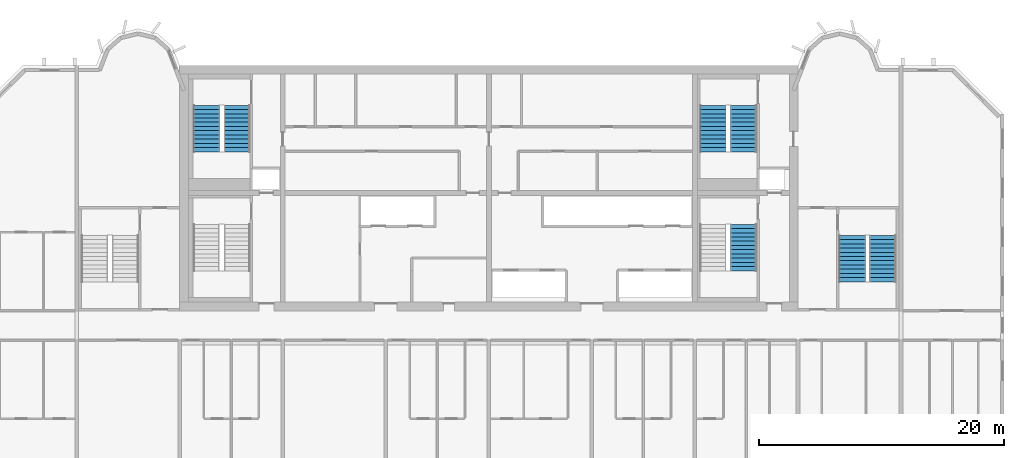
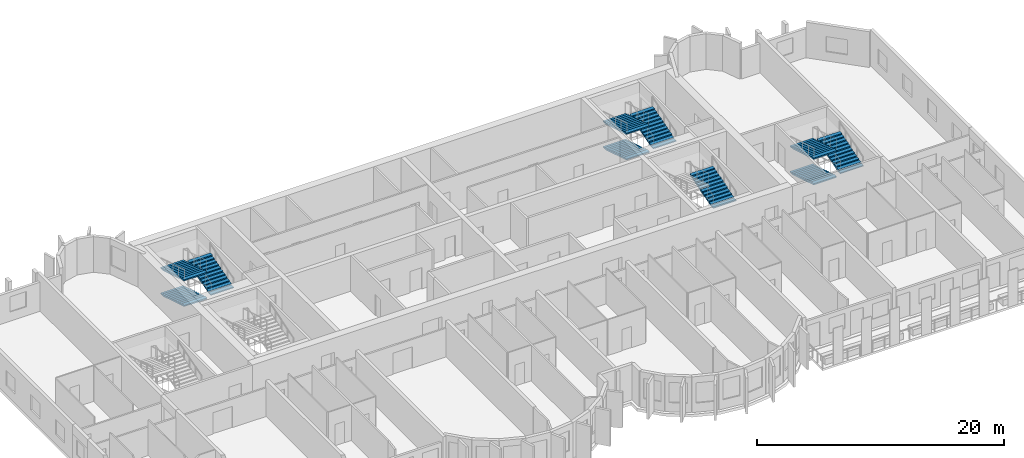
# One storey, part 10 of 13: 10 stair flights, 4 elements without a shape of their own.
"""IFC4 building model written with IfcOpenShell, lengths in metres."""

from ifc_helpers import new_model, si_unit, direction, frame, origin, place, context, subcontext, project, spatial, polyline, outline, extrude, source, transform, mapped, material, type_object, element, aggregate, save


model = new_model("IFC4")

# Units and contexts
model_context = context("Model", 3, precision=1e-05, world=origin(), true_north=direction((0.0, 1.0)))
body_context = subcontext(model_context, "Body", "Model", "MODEL_VIEW")
ifc_project = project(units=[si_unit("LENGTHUNIT", "METRE"), si_unit("AREAUNIT", "SQUARE_METRE"), si_unit("VOLUMEUNIT", "CUBIC_METRE"), si_unit("PLANEANGLEUNIT", "RADIAN"), si_unit("MASSUNIT", "GRAM", prefix="KILO")], contexts=[model_context])

# Site, building, storey
site_placement = place(None, origin())
site = spatial("IfcSite", under=ifc_project, at=site_placement, CompositionType="ELEMENT")
building_placement = place(site_placement, origin())
building = spatial("IfcBuilding", under=site, at=building_placement, Name="Vanashikhar Sky Hotel", CompositionType="ELEMENT")
storey_placement = place(building_placement, frame((0.0, 0.0, 159.199951171875)))
storey = spatial("IfcBuildingStorey", under=building, at=storey_placement, Name="L38", CompositionType="ELEMENT", Elevation=159.199951171875)

# Stair, stair flight
ifc_material = material(Name="Concrete M40", Category="concrete")
stair_type = type_object("IfcStairType", Name="Exit stair 2150", PredefinedType="DOUBLE_RETURN_STAIR", material=ifc_material)
stair_1_placement = place(storey_placement, origin())
stair_1 = element("IfcStair", 1, at=stair_1_placement, inside=storey, type_object=stair_type, Name="L38 Exit stair 2", PredefinedType="DOUBLE_RETURN_STAIR")
stair_flight_type = type_object("IfcStairFlightType", Name="Stair flight 2150", PredefinedType="STRAIGHT", material=ifc_material)
shared_shape = source(origin(), body_context, "Body", "SweptSolid", [
    extrude(outline(polyline([(0.0, 0.0), (0.0, 0.10546875), (0.345458984375, 0.10546875), (0.345458984375, 0.211181640625), (0.69091796875, 0.211181640625), (0.69091796875, 0.316650390625), (1.036376953125, 0.316650390625), (1.036376953125, 0.422119140625), (1.3818359375, 0.422119140625), (1.3818359375, 0.52783203125), (1.727294921875, 0.52783203125), (1.727294921875, 0.63330078125), (2.07275390625, 0.63330078125), (2.07275390625, 0.73876953125), (2.418212890625, 0.73876953125), (2.418212890625, 0.844482421875), (2.763671875, 0.844482421875), (2.763671875, 0.949951171875), (3.109130859375, 0.949951171875), (3.109130859375, 1.0556640625), (3.45458984375, 1.0556640625), (3.45458984375, 1.1611328125), (3.800048828125, 1.1611328125), (3.800048828125, 1.2666015625), (3.800048828125, 1.035400390625), (0.4111328125, 0.0), (0.0, 0.0)])), frame((0.0, 1.074951171875, 0.0), z_axis=(0.0, -1.0, 0.0), x_axis=(1.0, 0.0, 0.0)), (0.0, 0.0, 1.0), 2.14990234375),
])
stair_flight_1_placement = place(storey_placement, frame((71.175048828125, 25.25, 1.2666015625), z_axis=(0.0, 0.0, 1.0), x_axis=(0.0, 1.0, 0.0)))
stair_flight_1 = element("IfcStairFlight", 2, at=stair_flight_1_placement, type_object=stair_flight_type, Name="ST-C2 flight 2", NumberOfRisers=12, NumberOfTreads=11, PredefinedType="STRAIGHT", RiserHeight=0.105555556, TreadLength=0.345454545, context=body_context, shape_type="MappedRepresentation", body=[
    mapped(shared_shape, transform((0.0, 0.0, 0.0), scale=1.0)),
])
aggregate(stair_1, [stair_flight_1])

# Stair, stair flights
stair_2_placement = place(storey_placement, origin())
stair_2 = element("IfcStair", 3, at=stair_2_placement, inside=storey, type_object=stair_type, Name="L38 Exit stair 4", PredefinedType="DOUBLE_RETURN_STAIR")
stair_flight_2_placement = place(storey_placement, frame((80.02490234375, 28.14990234375, 0.0), z_axis=(0.0, 0.0, 1.0), x_axis=(0.0, -1.0, 0.0)))
stair_flight_2 = element("IfcStairFlight", 4, at=stair_flight_2_placement, type_object=stair_flight_type, Name="ST-E flight 1", NumberOfRisers=12, NumberOfTreads=11, PredefinedType="STRAIGHT", RiserHeight=0.105555556, TreadLength=0.345454545, context=body_context, shape_type="MappedRepresentation", body=[
    mapped(shared_shape, transform((0.0, 0.0, 0.0), scale=1.0)),
])
stair_flight_3_placement = place(storey_placement, frame((82.52490234375, 24.35009765625, 1.2666015625), z_axis=(0.0, 0.0, 1.0), x_axis=(0.0, 1.0, 0.0)))
stair_flight_3 = element("IfcStairFlight", 5, at=stair_flight_3_placement, type_object=stair_flight_type, Name="ST-E flight 2", NumberOfRisers=12, NumberOfTreads=11, PredefinedType="STRAIGHT", RiserHeight=0.105555556, TreadLength=0.345454545, context=body_context, shape_type="MappedRepresentation", body=[
    mapped(shared_shape, transform((0.0, 0.0, 0.0), scale=1.0)),
])
stair_flight_4_placement = place(storey_placement, frame((80.02490234375, 28.14990234375, 2.533447265625), z_axis=(0.0, 0.0, 1.0), x_axis=(0.0, -1.0, 0.0)))
stair_flight_4 = element("IfcStairFlight", 6, at=stair_flight_4_placement, type_object=stair_flight_type, Name="ST-E flight 3", NumberOfRisers=12, NumberOfTreads=11, PredefinedType="STRAIGHT", RiserHeight=0.105555556, TreadLength=0.345454545, context=body_context, shape_type="MappedRepresentation", body=[
    mapped(shared_shape, transform((0.0, 0.0, 0.0), scale=1.0)),
])
aggregate(stair_2, [stair_flight_2, stair_flight_3, stair_flight_4])

stair_3_placement = place(storey_placement, origin())
stair_3 = element("IfcStair", 7, at=stair_3_placement, inside=storey, type_object=stair_type, Name="L38 Exit stair 5", PredefinedType="DOUBLE_RETURN_STAIR")
stair_flight_5_placement = place(storey_placement, frame((27.375, 38.75, 0.0), z_axis=(0.0, 0.0, 1.0), x_axis=(0.0, -1.0, 0.0)))
stair_flight_5 = element("IfcStairFlight", 8, at=stair_flight_5_placement, type_object=stair_flight_type, Name="ST-C3 flight 1", NumberOfRisers=12, NumberOfTreads=11, PredefinedType="STRAIGHT", RiserHeight=0.105555556, TreadLength=0.345454545, context=body_context, shape_type="MappedRepresentation", body=[
    mapped(shared_shape, transform((0.0, 0.0, 0.0), scale=1.0)),
])
stair_flight_6_placement = place(storey_placement, frame((29.875, 34.949951171875, 1.2666015625), z_axis=(0.0, 0.0, 1.0), x_axis=(0.0, 1.0, 0.0)))
stair_flight_6 = element("IfcStairFlight", 9, at=stair_flight_6_placement, type_object=stair_flight_type, Name="ST-C3 flight 2", NumberOfRisers=12, NumberOfTreads=11, PredefinedType="STRAIGHT", RiserHeight=0.105555556, TreadLength=0.345454545, context=body_context, shape_type="MappedRepresentation", body=[
    mapped(shared_shape, transform((0.0, 0.0, 0.0), scale=1.0)),
])
stair_flight_7_placement = place(storey_placement, frame((27.375, 38.75, 2.533447265625), z_axis=(0.0, 0.0, 1.0), x_axis=(0.0, -1.0, 0.0)))
stair_flight_7 = element("IfcStairFlight", 10, at=stair_flight_7_placement, type_object=stair_flight_type, Name="ST-C3 flight 3", NumberOfRisers=12, NumberOfTreads=11, PredefinedType="STRAIGHT", RiserHeight=0.105555556, TreadLength=0.345454545, context=body_context, shape_type="MappedRepresentation", body=[
    mapped(shared_shape, transform((0.0, 0.0, 0.0), scale=1.0)),
])
aggregate(stair_3, [stair_flight_5, stair_flight_6, stair_flight_7])

stair_4_placement = place(storey_placement, origin())
stair_4 = element("IfcStair", 11, at=stair_4_placement, inside=storey, type_object=stair_type, Name="L38 Exit stair 6", PredefinedType="DOUBLE_RETURN_STAIR")
stair_flight_8_placement = place(storey_placement, frame((68.675048828125, 38.75, 0.0), z_axis=(0.0, 0.0, 1.0), x_axis=(0.0, -1.0, 0.0)))
stair_flight_8 = element("IfcStairFlight", 12, at=stair_flight_8_placement, type_object=stair_flight_type, Name="ST-C4 flight 1", NumberOfRisers=12, NumberOfTreads=11, PredefinedType="STRAIGHT", RiserHeight=0.105555556, TreadLength=0.345454545, context=body_context, shape_type="MappedRepresentation", body=[
    mapped(shared_shape, transform((0.0, 0.0, 0.0), scale=1.0)),
])
stair_flight_9_placement = place(storey_placement, frame((71.175048828125, 34.949951171875, 1.2666015625), z_axis=(0.0, 0.0, 1.0), x_axis=(0.0, 1.0, 0.0)))
stair_flight_9 = element("IfcStairFlight", 13, at=stair_flight_9_placement, type_object=stair_flight_type, Name="ST-C4 flight 2", NumberOfRisers=12, NumberOfTreads=11, PredefinedType="STRAIGHT", RiserHeight=0.105555556, TreadLength=0.345454545, context=body_context, shape_type="MappedRepresentation", body=[
    mapped(shared_shape, transform((0.0, 0.0, 0.0), scale=1.0)),
])
stair_flight_10_placement = place(storey_placement, frame((68.675048828125, 38.75, 2.533447265625), z_axis=(0.0, 0.0, 1.0), x_axis=(0.0, -1.0, 0.0)))
stair_flight_10 = element("IfcStairFlight", 14, at=stair_flight_10_placement, type_object=stair_flight_type, Name="ST-C4 flight 3", NumberOfRisers=12, NumberOfTreads=11, PredefinedType="STRAIGHT", RiserHeight=0.105555556, TreadLength=0.345454545, context=body_context, shape_type="MappedRepresentation", body=[
    mapped(shared_shape, transform((0.0, 0.0, 0.0), scale=1.0)),
])
aggregate(stair_4, [stair_flight_8, stair_flight_9, stair_flight_10])

save(model, "model.ifc")
